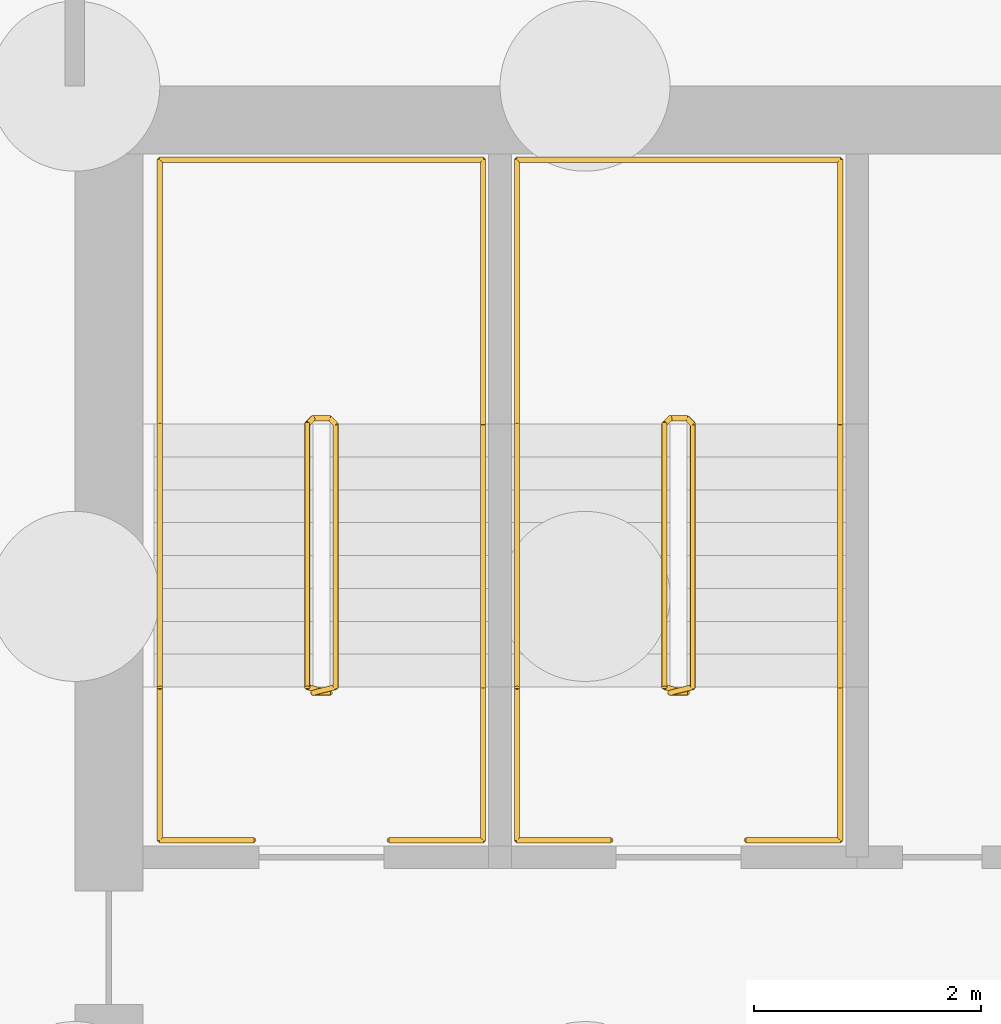
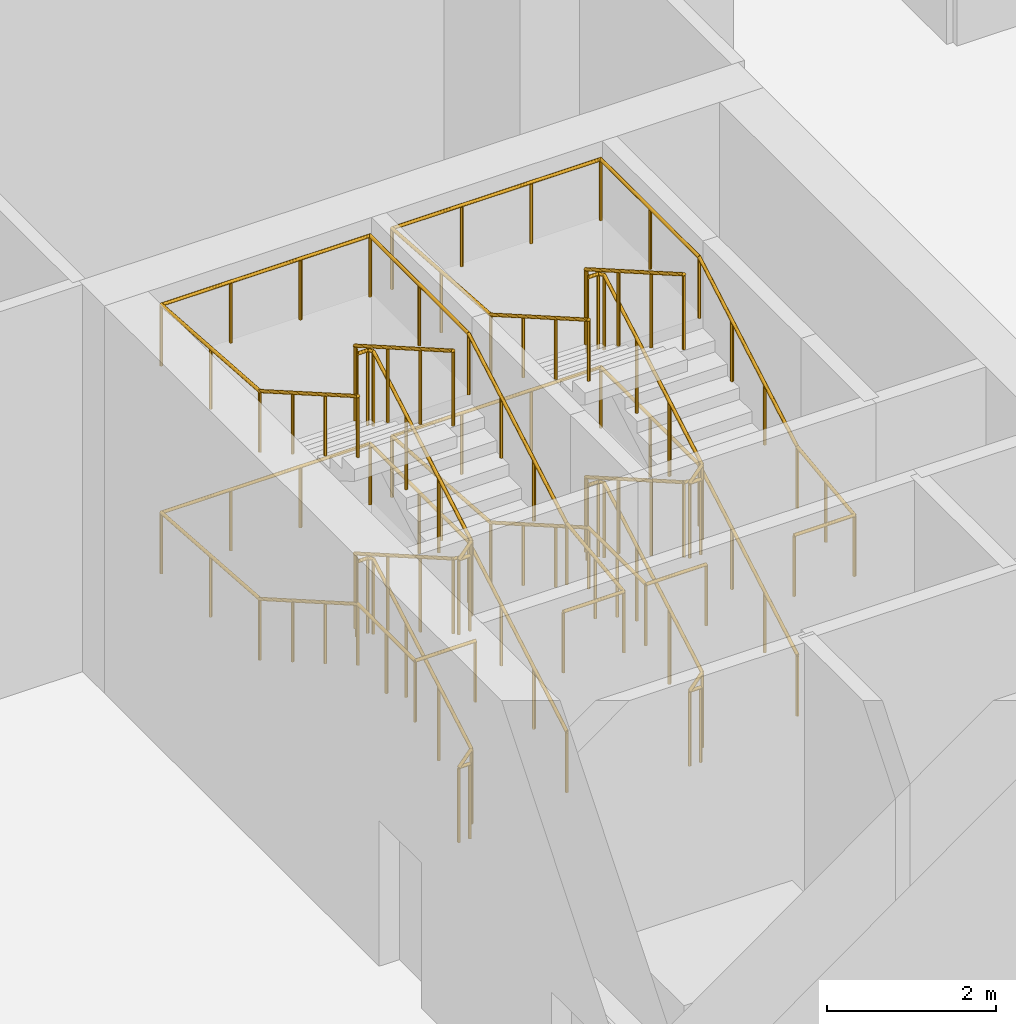
# One storey, part 21 of 26: 6 railings.
"""IFC4 building model written with IfcOpenShell, lengths in metres."""

from ifc_helpers import new_model, si_unit, direction, frame, origin, origin_2d, place, context, subcontext, project, spatial, circle, extrude, material, type_object, element, save


model = new_model("IFC4")

# Units and contexts
model_context = context("Model", 3, precision=1e-05, world=origin(), true_north=direction((0.0, 1.0)))
body_context = subcontext(model_context, "Body", "Model", "MODEL_VIEW")
ifc_project = project(units=[si_unit("LENGTHUNIT", "METRE"), si_unit("AREAUNIT", "SQUARE_METRE"), si_unit("VOLUMEUNIT", "CUBIC_METRE"), si_unit("PLANEANGLEUNIT", "RADIAN"), si_unit("MASSUNIT", "GRAM", prefix="KILO")], contexts=[model_context])

# Site, building, storey
site_placement = place(None, origin())
site = spatial("IfcSite", under=ifc_project, at=site_placement, CompositionType="ELEMENT")
building_placement = place(site_placement, origin())
building = spatial("IfcBuilding", under=site, at=building_placement, Name="Tessera Arch", CompositionType="ELEMENT")
storey_placement = place(building_placement, frame((0.0, 0.0, -6.0)))
storey = spatial("IfcBuildingStorey", under=building, at=storey_placement, Name="B1", CompositionType="ELEMENT", Elevation=-6.0)

# Railings
ifc_material_1 = material(Name="Painted steel balustrade", Category="steel")
railing_type_1 = type_object("IfcRailingType", Name="Stair guard 1100", PredefinedType="GUARDRAIL", material=ifc_material_1)
railing_1_placement = place(storey_placement, frame((38.25, 17.14990234375, 0.0)))
element("IfcRailing", 1, at=railing_1_placement, inside=storey, type_object=railing_type_1, Name="B1 S3a stair guard 1", PredefinedType="GUARDRAIL", context=body_context, shape_type="SweptSolid", body=[
    extrude(circle(Radius=0.02392578125, at=origin_2d()), frame((0.00390625, 0.0, 1.076171875), z_axis=(-1.0, 0.0, 0.0), x_axis=(0.0, -1.0, 0.0)), (0.0, 0.0, 1.0), 0.157958984375),
    extrude(circle(Radius=0.02392578125, at=origin_2d()), frame((-0.15283203125, -0.000732421875, 1.073486328125), z_axis=(0.754182335027, 0.188775798145, 0.628945707965), x_axis=(-0.242814311512, 0.970072785993, 0.0)), (0.0, 0.0, 1.0), 0.273193359375),
    extrude(circle(Radius=0.02392578125, at=origin_2d()), frame((0.050048828125, 0.046630859375, 1.24072265625), z_axis=(0.0, 0.867033425039, 0.498249977285), x_axis=(-1.0, 0.0, 0.0)), (0.0, 0.0, 1.0), 2.683837890625),
    extrude(circle(Radius=0.02392578125, at=origin_2d()), frame((0.052978515625, 2.3671875, 2.576171875), z_axis=(-0.707106781187, 0.707106781187, 0.0), x_axis=(-0.707106781187, -0.707106781187, 0.0)), (0.0, 0.0, 1.0), 0.078857421875),
    extrude(circle(Radius=0.02392578125, at=origin_2d()), frame((0.00390625, 2.420166015625, 2.576171875), z_axis=(-1.0, 0.0, 0.0), x_axis=(0.0, -1.0, 0.0)), (0.0, 0.0, 1.0), 0.157958984375),
    extrude(circle(Radius=0.02392578125, at=origin_2d()), frame((-0.148681640625, 2.42138671875, 2.572265625), z_axis=(-0.27628659633, -0.27628659633, 0.920506074601), x_axis=(0.707106781187, -0.707106781187, 0.0)), (0.0, 0.0, 1.0), 0.189208984375),
    extrude(circle(Radius=0.02392578125, at=origin_2d()), frame((-0.199951171875, 2.37353515625, 2.74072265625), z_axis=(0.0, -0.867033425039, 0.498249977285), x_axis=(1.0, 0.0, 0.0)), (0.0, 0.0, 1.0), 2.683837890625),
    extrude(circle(Radius=0.02392578125, at=origin_2d()), frame((-0.203857421875, 0.051025390625, 4.076171875), z_axis=(0.970072785993, -0.242814311512, 0.0), x_axis=(0.242814311512, 0.970072785993, 0.0)), (0.0, 0.0, 1.0), 0.214111328125),
    extrude(circle(Radius=0.02392578125, at=origin_2d()), frame((0.00390625, 0.0, 4.076171875), z_axis=(-1.0, 0.0, 0.0), x_axis=(0.0, -1.0, 0.0)), (0.0, 0.0, 1.0), 0.157958984375),
    extrude(circle(Radius=0.02392578125, at=origin_2d()), frame((-0.15283203125, -0.000732421875, 4.073486328125), z_axis=(0.754182335027, 0.188775798145, 0.628945707965), x_axis=(-0.242814311512, 0.970072785993, 0.0)), (0.0, 0.0, 1.0), 0.273193359375),
    extrude(circle(Radius=0.02392578125, at=origin_2d()), frame((0.050048828125, 0.046630859375, 4.24072265625), z_axis=(0.0, 0.867033425039, 0.498249977285), x_axis=(-1.0, 0.0, 0.0)), (0.0, 0.0, 1.0), 2.683837890625),
    extrude(circle(Radius=0.02392578125, at=origin_2d()), frame((0.052978515625, 2.3671875, 5.576171875), z_axis=(-0.707106781187, 0.707106781187, 0.0), x_axis=(-0.707106781187, -0.707106781187, 0.0)), (0.0, 0.0, 1.0), 0.078857421875),
    extrude(circle(Radius=0.02392578125, at=origin_2d()), frame((0.00390625, 2.420166015625, 5.576171875), z_axis=(-1.0, 0.0, 0.0), x_axis=(0.0, -1.0, 0.0)), (0.0, 0.0, 1.0), 0.157958984375),
    extrude(circle(Radius=0.02392578125, at=origin_2d()), frame((-0.148681640625, 2.42138671875, 5.572265625), z_axis=(-0.27628659633, -0.27628659633, 0.920506074601), x_axis=(0.707106781187, -0.707106781187, 0.0)), (0.0, 0.0, 1.0), 0.189208984375),
    extrude(circle(Radius=0.02392578125, at=origin_2d()), frame((-0.199951171875, 2.37353515625, 5.74072265625), z_axis=(0.0, -0.867033425039, 0.498249977285), x_axis=(1.0, 0.0, 0.0)), (0.0, 0.0, 1.0), 2.683837890625),
    extrude(circle(Radius=0.02099609375, at=origin_2d()), origin(), (0.0, 0.0, 1.0), 1.06396484375),
    extrude(circle(Radius=0.02099609375, at=origin_2d()), frame((-0.14990234375, 0.0, 0.0)), (0.0, 0.0, 1.0), 1.06396484375),
    extrude(circle(Radius=0.02099609375, at=origin_2d()), frame((0.050048828125, 0.050048828125, 0.166748046875)), (0.0, 0.0, 1.0), 1.06396484375),
    extrude(circle(Radius=0.02099609375, at=origin_2d()), frame((0.050048828125, 0.823486328125, 0.611083984375)), (0.0, 0.0, 1.0), 1.06396484375),
    extrude(circle(Radius=0.02099609375, at=origin_2d()), frame((0.050048828125, 1.5966796875, 1.0556640625)), (0.0, 0.0, 1.0), 1.06396484375),
    extrude(circle(Radius=0.02099609375, at=origin_2d()), frame((0.050048828125, 2.3701171875, 1.5)), (0.0, 0.0, 1.0), 1.06396484375),
    extrude(circle(Radius=0.02099609375, at=origin_2d()), frame((0.0, 2.420166015625, 1.5)), (0.0, 0.0, 1.0), 1.06396484375),
    extrude(circle(Radius=0.02099609375, at=origin_2d()), frame((-0.14990234375, 2.420166015625, 1.5)), (0.0, 0.0, 1.0), 1.06396484375),
    extrude(circle(Radius=0.02099609375, at=origin_2d()), frame((-0.199951171875, 2.3701171875, 1.666748046875)), (0.0, 0.0, 1.0), 1.06396484375),
    extrude(circle(Radius=0.02099609375, at=origin_2d()), frame((-0.199951171875, 1.5966796875, 2.111083984375)), (0.0, 0.0, 1.0), 1.06396484375),
    extrude(circle(Radius=0.02099609375, at=origin_2d()), frame((-0.199951171875, 0.823486328125, 2.5556640625)), (0.0, 0.0, 1.0), 1.06396484375),
    extrude(circle(Radius=0.02099609375, at=origin_2d()), frame((-0.199951171875, 0.050048828125, 3.0)), (0.0, 0.0, 1.0), 1.06396484375),
    extrude(circle(Radius=0.02099609375, at=origin_2d()), frame((0.0, 0.0, 3.0)), (0.0, 0.0, 1.0), 1.06396484375),
    extrude(circle(Radius=0.02099609375, at=origin_2d()), frame((-0.14990234375, 0.0, 3.0)), (0.0, 0.0, 1.0), 1.06396484375),
    extrude(circle(Radius=0.02099609375, at=origin_2d()), frame((0.050048828125, 0.050048828125, 3.166748046875)), (0.0, 0.0, 1.0), 1.06396484375),
    extrude(circle(Radius=0.02099609375, at=origin_2d()), frame((0.050048828125, 0.823486328125, 3.611083984375)), (0.0, 0.0, 1.0), 1.06396484375),
    extrude(circle(Radius=0.02099609375, at=origin_2d()), frame((0.050048828125, 1.5966796875, 4.0556640625)), (0.0, 0.0, 1.0), 1.06396484375),
    extrude(circle(Radius=0.02099609375, at=origin_2d()), frame((0.050048828125, 2.3701171875, 4.5)), (0.0, 0.0, 1.0), 1.06396484375),
    extrude(circle(Radius=0.02099609375, at=origin_2d()), frame((0.0, 2.420166015625, 4.5)), (0.0, 0.0, 1.0), 1.06396484375),
    extrude(circle(Radius=0.02099609375, at=origin_2d()), frame((-0.14990234375, 2.420166015625, 4.5)), (0.0, 0.0, 1.0), 1.06396484375),
    extrude(circle(Radius=0.02099609375, at=origin_2d()), frame((-0.199951171875, 2.3701171875, 4.666748046875)), (0.0, 0.0, 1.0), 1.06396484375),
    extrude(circle(Radius=0.02099609375, at=origin_2d()), frame((-0.199951171875, 1.5966796875, 5.111083984375)), (0.0, 0.0, 1.0), 1.06396484375),
    extrude(circle(Radius=0.02099609375, at=origin_2d()), frame((-0.199951171875, 0.823486328125, 5.5556640625)), (0.0, 0.0, 1.0), 1.06396484375),
    extrude(circle(Radius=0.02099609375, at=origin_2d()), frame((-0.199951171875, 0.050048828125, 6.0)), (0.0, 0.0, 1.0), 1.06396484375),
])
railing_2_placement = place(storey_placement, frame((41.39990234375, 17.14990234375, 0.0)))
element("IfcRailing", 2, at=railing_2_placement, inside=storey, type_object=railing_type_1, Name="B1 S3b stair guard 1", PredefinedType="GUARDRAIL", context=body_context, shape_type="SweptSolid", body=[
    extrude(circle(Radius=0.02392578125, at=origin_2d()), frame((0.00390625, 0.0, 1.076171875), z_axis=(-1.0, 0.0, 0.0), x_axis=(0.0, -1.0, 0.0)), (0.0, 0.0, 1.0), 0.157958984375),
    extrude(circle(Radius=0.02392578125, at=origin_2d()), frame((-0.15283203125, -0.000732421875, 1.073486328125), z_axis=(0.754182335027, 0.188775798145, 0.628945707965), x_axis=(-0.242814311512, 0.970072785993, 0.0)), (0.0, 0.0, 1.0), 0.273193359375),
    extrude(circle(Radius=0.02392578125, at=origin_2d()), frame((0.050048828125, 0.046630859375, 1.24072265625), z_axis=(0.0, 0.867033425039, 0.498249977285), x_axis=(-1.0, 0.0, 0.0)), (0.0, 0.0, 1.0), 2.683837890625),
    extrude(circle(Radius=0.02392578125, at=origin_2d()), frame((0.052978515625, 2.3671875, 2.576171875), z_axis=(-0.707106781187, 0.707106781187, 0.0), x_axis=(-0.707106781187, -0.707106781187, 0.0)), (0.0, 0.0, 1.0), 0.078857421875),
    extrude(circle(Radius=0.02392578125, at=origin_2d()), frame((0.00390625, 2.420166015625, 2.576171875), z_axis=(-1.0, 0.0, 0.0), x_axis=(0.0, -1.0, 0.0)), (0.0, 0.0, 1.0), 0.157958984375),
    extrude(circle(Radius=0.02392578125, at=origin_2d()), frame((-0.148681640625, 2.42138671875, 2.572265625), z_axis=(-0.27628659633, -0.27628659633, 0.920506074601), x_axis=(0.707106781187, -0.707106781187, 0.0)), (0.0, 0.0, 1.0), 0.189208984375),
    extrude(circle(Radius=0.02392578125, at=origin_2d()), frame((-0.199951171875, 2.37353515625, 2.74072265625), z_axis=(0.0, -0.867033425039, 0.498249977285), x_axis=(1.0, 0.0, 0.0)), (0.0, 0.0, 1.0), 2.683837890625),
    extrude(circle(Radius=0.02392578125, at=origin_2d()), frame((-0.203857421875, 0.051025390625, 4.076171875), z_axis=(0.970072785993, -0.242814311512, 0.0), x_axis=(0.242814311512, 0.970072785993, 0.0)), (0.0, 0.0, 1.0), 0.214111328125),
    extrude(circle(Radius=0.02392578125, at=origin_2d()), frame((0.00390625, 0.0, 4.076171875), z_axis=(-1.0, 0.0, 0.0), x_axis=(0.0, -1.0, 0.0)), (0.0, 0.0, 1.0), 0.157958984375),
    extrude(circle(Radius=0.02392578125, at=origin_2d()), frame((-0.15283203125, -0.000732421875, 4.073486328125), z_axis=(0.754182335027, 0.188775798145, 0.628945707965), x_axis=(-0.242814311512, 0.970072785993, 0.0)), (0.0, 0.0, 1.0), 0.273193359375),
    extrude(circle(Radius=0.02392578125, at=origin_2d()), frame((0.050048828125, 0.046630859375, 4.24072265625), z_axis=(0.0, 0.867033425039, 0.498249977285), x_axis=(-1.0, 0.0, 0.0)), (0.0, 0.0, 1.0), 2.683837890625),
    extrude(circle(Radius=0.02392578125, at=origin_2d()), frame((0.052978515625, 2.3671875, 5.576171875), z_axis=(-0.707106781187, 0.707106781187, 0.0), x_axis=(-0.707106781187, -0.707106781187, 0.0)), (0.0, 0.0, 1.0), 0.078857421875),
    extrude(circle(Radius=0.02392578125, at=origin_2d()), frame((0.00390625, 2.420166015625, 5.576171875), z_axis=(-1.0, 0.0, 0.0), x_axis=(0.0, -1.0, 0.0)), (0.0, 0.0, 1.0), 0.157958984375),
    extrude(circle(Radius=0.02392578125, at=origin_2d()), frame((-0.148681640625, 2.42138671875, 5.572265625), z_axis=(-0.27628659633, -0.27628659633, 0.920506074601), x_axis=(0.707106781187, -0.707106781187, 0.0)), (0.0, 0.0, 1.0), 0.189208984375),
    extrude(circle(Radius=0.02392578125, at=origin_2d()), frame((-0.199951171875, 2.37353515625, 5.74072265625), z_axis=(0.0, -0.867033425039, 0.498249977285), x_axis=(1.0, 0.0, 0.0)), (0.0, 0.0, 1.0), 2.683837890625),
    extrude(circle(Radius=0.02099609375, at=origin_2d()), origin(), (0.0, 0.0, 1.0), 1.06396484375),
    extrude(circle(Radius=0.02099609375, at=origin_2d()), frame((-0.14990234375, 0.0, 0.0)), (0.0, 0.0, 1.0), 1.06396484375),
    extrude(circle(Radius=0.02099609375, at=origin_2d()), frame((0.050048828125, 0.050048828125, 0.166748046875)), (0.0, 0.0, 1.0), 1.06396484375),
    extrude(circle(Radius=0.02099609375, at=origin_2d()), frame((0.050048828125, 0.823486328125, 0.611083984375)), (0.0, 0.0, 1.0), 1.06396484375),
    extrude(circle(Radius=0.02099609375, at=origin_2d()), frame((0.050048828125, 1.5966796875, 1.0556640625)), (0.0, 0.0, 1.0), 1.06396484375),
    extrude(circle(Radius=0.02099609375, at=origin_2d()), frame((0.050048828125, 2.3701171875, 1.5)), (0.0, 0.0, 1.0), 1.06396484375),
    extrude(circle(Radius=0.02099609375, at=origin_2d()), frame((0.0, 2.420166015625, 1.5)), (0.0, 0.0, 1.0), 1.06396484375),
    extrude(circle(Radius=0.02099609375, at=origin_2d()), frame((-0.14990234375, 2.420166015625, 1.5)), (0.0, 0.0, 1.0), 1.06396484375),
    extrude(circle(Radius=0.02099609375, at=origin_2d()), frame((-0.199951171875, 2.3701171875, 1.666748046875)), (0.0, 0.0, 1.0), 1.06396484375),
    extrude(circle(Radius=0.02099609375, at=origin_2d()), frame((-0.199951171875, 1.5966796875, 2.111083984375)), (0.0, 0.0, 1.0), 1.06396484375),
    extrude(circle(Radius=0.02099609375, at=origin_2d()), frame((-0.199951171875, 0.823486328125, 2.5556640625)), (0.0, 0.0, 1.0), 1.06396484375),
    extrude(circle(Radius=0.02099609375, at=origin_2d()), frame((-0.199951171875, 0.050048828125, 3.0)), (0.0, 0.0, 1.0), 1.06396484375),
    extrude(circle(Radius=0.02099609375, at=origin_2d()), frame((0.0, 0.0, 3.0)), (0.0, 0.0, 1.0), 1.06396484375),
    extrude(circle(Radius=0.02099609375, at=origin_2d()), frame((-0.14990234375, 0.0, 3.0)), (0.0, 0.0, 1.0), 1.06396484375),
    extrude(circle(Radius=0.02099609375, at=origin_2d()), frame((0.050048828125, 0.050048828125, 3.166748046875)), (0.0, 0.0, 1.0), 1.06396484375),
    extrude(circle(Radius=0.02099609375, at=origin_2d()), frame((0.050048828125, 0.823486328125, 3.611083984375)), (0.0, 0.0, 1.0), 1.06396484375),
    extrude(circle(Radius=0.02099609375, at=origin_2d()), frame((0.050048828125, 1.5966796875, 4.0556640625)), (0.0, 0.0, 1.0), 1.06396484375),
    extrude(circle(Radius=0.02099609375, at=origin_2d()), frame((0.050048828125, 2.3701171875, 4.5)), (0.0, 0.0, 1.0), 1.06396484375),
    extrude(circle(Radius=0.02099609375, at=origin_2d()), frame((0.0, 2.420166015625, 4.5)), (0.0, 0.0, 1.0), 1.06396484375),
    extrude(circle(Radius=0.02099609375, at=origin_2d()), frame((-0.14990234375, 2.420166015625, 4.5)), (0.0, 0.0, 1.0), 1.06396484375),
    extrude(circle(Radius=0.02099609375, at=origin_2d()), frame((-0.199951171875, 2.3701171875, 4.666748046875)), (0.0, 0.0, 1.0), 1.06396484375),
    extrude(circle(Radius=0.02099609375, at=origin_2d()), frame((-0.199951171875, 1.5966796875, 5.111083984375)), (0.0, 0.0, 1.0), 1.06396484375),
    extrude(circle(Radius=0.02099609375, at=origin_2d()), frame((-0.199951171875, 0.823486328125, 5.5556640625)), (0.0, 0.0, 1.0), 1.06396484375),
    extrude(circle(Radius=0.02099609375, at=origin_2d()), frame((-0.199951171875, 0.050048828125, 6.0)), (0.0, 0.0, 1.0), 1.06396484375),
])
ifc_material_2 = material(Name="Painted steel handrail", Category="steel")
railing_type_2 = type_object("IfcRailingType", Name="Stair handrail 900", PredefinedType="HANDRAIL", material=ifc_material_2)
railing_3_placement = place(storey_placement, frame((39.60009765625, 17.199951171875, 0.166748046875)))
element("IfcRailing", 3, at=railing_3_placement, inside=storey, type_object=railing_type_2, Name="B1 S3a stair handrail", PredefinedType="HANDRAIL", context=body_context, shape_type="SweptSolid", body=[
    extrude(circle(Radius=0.02392578125, at=origin_2d()), frame((0.0, -0.00341796875, 0.873779296875), z_axis=(0.0, 0.867033425039, 0.498249977285), x_axis=(-1.0, 0.0, 0.0)), (0.0, 0.0, 1.0), 2.683837890625),
    extrude(circle(Radius=0.02392578125, at=origin_2d()), frame((0.0, 2.316162109375, 2.208984375), z_axis=(0.0, 1.0, 0.0), x_axis=(-1.0, 0.0, 0.0)), (0.0, 0.0, 1.0), 2.338134765625),
    extrude(circle(Radius=0.02392578125, at=origin_2d()), frame((0.00390625, 4.650146484375, 2.208984375), z_axis=(-1.0, 0.0, 0.0), x_axis=(0.0, -1.0, 0.0)), (0.0, 0.0, 1.0), 2.858154296875),
    extrude(circle(Radius=0.02392578125, at=origin_2d()), frame((-2.85009765625, 4.654052734375, 2.208740234375), z_axis=(0.0, -0.99744914168, 0.071380738031), x_axis=(1.0, 0.0, 0.0)), (0.0, 0.0, 1.0), 2.343994140625),
    extrude(circle(Radius=0.02392578125, at=origin_2d()), frame((-2.85009765625, 2.323486328125, 2.373779296875), z_axis=(0.0, -0.867033425039, 0.498249977285), x_axis=(1.0, 0.0, 0.0)), (0.0, 0.0, 1.0), 2.683837890625),
    extrude(circle(Radius=0.02392578125, at=origin_2d()), frame((-2.85009765625, 0.00390625, 3.708984375), z_axis=(0.0, -1.0, 0.0), x_axis=(1.0, 0.0, 0.0)), (0.0, 0.0, 1.0), 1.35791015625),
    extrude(circle(Radius=0.02392578125, at=origin_2d()), frame((-2.85400390625, -1.349853515625, 3.708984375), z_axis=(1.0, 0.0, 0.0), x_axis=(0.0, 1.0, 0.0)), (0.0, 0.0, 1.0), 0.8330078125),
    extrude(circle(Radius=0.02099609375, at=origin_2d()), origin(), (0.0, 0.0, 1.0), 0.86376953125),
    extrude(circle(Radius=0.02099609375, at=origin_2d()), frame((0.0, 0.7734375, 0.4443359375)), (0.0, 0.0, 1.0), 0.86376953125),
    extrude(circle(Radius=0.02099609375, at=origin_2d()), frame((0.0, 1.546630859375, 0.888916015625)), (0.0, 0.0, 1.0), 0.86376953125),
    extrude(circle(Radius=0.02099609375, at=origin_2d()), frame((0.0, 2.320068359375, 1.333251953125)), (0.0, 0.0, 1.0), 0.86376953125),
    extrude(circle(Radius=0.02099609375, at=origin_2d()), frame((0.0, 3.485107421875, 1.333251953125)), (0.0, 0.0, 1.0), 0.86376953125),
    extrude(circle(Radius=0.02099609375, at=origin_2d()), frame((0.0, 4.650146484375, 1.333251953125)), (0.0, 0.0, 1.0), 0.86376953125),
    extrude(circle(Radius=0.02099609375, at=origin_2d()), frame((-0.949951171875, 4.650146484375, 1.333251953125)), (0.0, 0.0, 1.0), 0.86376953125),
    extrude(circle(Radius=0.02099609375, at=origin_2d()), frame((-1.900146484375, 4.650146484375, 1.333251953125)), (0.0, 0.0, 1.0), 0.86376953125),
    extrude(circle(Radius=0.02099609375, at=origin_2d()), frame((-2.85009765625, 4.650146484375, 1.333251953125)), (0.0, 0.0, 1.0), 0.86376953125),
    extrude(circle(Radius=0.02099609375, at=origin_2d()), frame((-2.85009765625, 3.485107421875, 1.41650390625)), (0.0, 0.0, 1.0), 0.86376953125),
    extrude(circle(Radius=0.02099609375, at=origin_2d()), frame((-2.85009765625, 2.320068359375, 1.5)), (0.0, 0.0, 1.0), 0.86376953125),
    extrude(circle(Radius=0.02099609375, at=origin_2d()), frame((-2.85009765625, 1.546630859375, 1.9443359375)), (0.0, 0.0, 1.0), 0.86376953125),
    extrude(circle(Radius=0.02099609375, at=origin_2d()), frame((-2.85009765625, 0.7734375, 2.388916015625)), (0.0, 0.0, 1.0), 0.86376953125),
    extrude(circle(Radius=0.02099609375, at=origin_2d()), frame((-2.85009765625, 0.0, 2.833251953125)), (0.0, 0.0, 1.0), 0.86376953125),
    extrude(circle(Radius=0.02099609375, at=origin_2d()), frame((-2.85009765625, -0.6748046875, 2.833251953125)), (0.0, 0.0, 1.0), 0.86376953125),
    extrude(circle(Radius=0.02099609375, at=origin_2d()), frame((-2.85009765625, -1.349853515625, 2.833251953125)), (0.0, 0.0, 1.0), 0.86376953125),
    extrude(circle(Radius=0.02099609375, at=origin_2d()), frame((-2.025146484375, -1.349853515625, 2.833251953125)), (0.0, 0.0, 1.0), 0.86376953125),
])
railing_4_placement = place(storey_placement, frame((38.77490234375, 15.85009765625, 3.0)))
element("IfcRailing", 4, at=railing_4_placement, inside=storey, type_object=railing_type_2, Name="B1 S3a stair handrail 2", PredefinedType="HANDRAIL", context=body_context, shape_type="SweptSolid", body=[
    extrude(circle(Radius=0.02392578125, at=origin_2d()), frame((-0.00390625, 0.0, 0.8759765625), z_axis=(1.0, 0.0, 0.0), x_axis=(0.0, 1.0, 0.0)), (0.0, 0.0, 1.0), 0.833251953125),
    extrude(circle(Radius=0.02392578125, at=origin_2d()), frame((0.8251953125, -0.00390625, 0.875244140625), z_axis=(0.0, 0.992456337791, 0.122598603493), x_axis=(-1.0, 0.0, 0.0)), (0.0, 0.0, 1.0), 1.3681640625),
    extrude(circle(Radius=0.02392578125, at=origin_2d()), frame((0.8251953125, 1.346435546875, 1.04052734375), z_axis=(0.0, 0.867033425039, 0.498249977285), x_axis=(-1.0, 0.0, 0.0)), (0.0, 0.0, 1.0), 2.683837890625),
    extrude(circle(Radius=0.02392578125, at=origin_2d()), frame((0.8251953125, 3.666015625, 2.3759765625), z_axis=(0.0, 1.0, 0.0), x_axis=(-1.0, 0.0, 0.0)), (0.0, 0.0, 1.0), 2.338134765625),
    extrude(circle(Radius=0.02392578125, at=origin_2d()), frame((0.8291015625, 6.0, 2.3759765625), z_axis=(-1.0, 0.0, 0.0), x_axis=(0.0, -1.0, 0.0)), (0.0, 0.0, 1.0), 2.858154296875),
    extrude(circle(Radius=0.02392578125, at=origin_2d()), frame((-2.02490234375, 6.00390625, 2.37548828125), z_axis=(0.0, -0.99744914168, 0.071380738031), x_axis=(1.0, 0.0, 0.0)), (0.0, 0.0, 1.0), 2.343994140625),
    extrude(circle(Radius=0.02392578125, at=origin_2d()), frame((-2.02490234375, 3.67333984375, 2.54052734375), z_axis=(0.0, -0.867033425039, 0.498249977285), x_axis=(1.0, 0.0, 0.0)), (0.0, 0.0, 1.0), 2.683837890625),
    extrude(circle(Radius=0.02099609375, at=origin_2d()), origin(), (0.0, 0.0, 1.0), 0.86376953125),
    extrude(circle(Radius=0.02099609375, at=origin_2d()), frame((0.8251953125, 0.0, 0.0)), (0.0, 0.0, 1.0), 0.86376953125),
    extrude(circle(Radius=0.02099609375, at=origin_2d()), frame((0.8251953125, 0.6748046875, 0.08349609375)), (0.0, 0.0, 1.0), 0.86376953125),
    extrude(circle(Radius=0.02099609375, at=origin_2d()), frame((0.8251953125, 1.349853515625, 0.166748046875)), (0.0, 0.0, 1.0), 0.86376953125),
    extrude(circle(Radius=0.02099609375, at=origin_2d()), frame((0.8251953125, 2.123291015625, 0.611083984375)), (0.0, 0.0, 1.0), 0.86376953125),
    extrude(circle(Radius=0.02099609375, at=origin_2d()), frame((0.8251953125, 2.896484375, 1.0556640625)), (0.0, 0.0, 1.0), 0.86376953125),
    extrude(circle(Radius=0.02099609375, at=origin_2d()), frame((0.8251953125, 3.669921875, 1.5)), (0.0, 0.0, 1.0), 0.86376953125),
    extrude(circle(Radius=0.02099609375, at=origin_2d()), frame((0.8251953125, 4.8349609375, 1.5)), (0.0, 0.0, 1.0), 0.86376953125),
    extrude(circle(Radius=0.02099609375, at=origin_2d()), frame((0.8251953125, 6.0, 1.5)), (0.0, 0.0, 1.0), 0.86376953125),
    extrude(circle(Radius=0.02099609375, at=origin_2d()), frame((-0.124755859375, 6.0, 1.5)), (0.0, 0.0, 1.0), 0.86376953125),
    extrude(circle(Radius=0.02099609375, at=origin_2d()), frame((-1.074951171875, 6.0, 1.5)), (0.0, 0.0, 1.0), 0.86376953125),
    extrude(circle(Radius=0.02099609375, at=origin_2d()), frame((-2.02490234375, 6.0, 1.5)), (0.0, 0.0, 1.0), 0.86376953125),
    extrude(circle(Radius=0.02099609375, at=origin_2d()), frame((-2.02490234375, 4.8349609375, 1.58349609375)), (0.0, 0.0, 1.0), 0.86376953125),
    extrude(circle(Radius=0.02099609375, at=origin_2d()), frame((-2.02490234375, 3.669921875, 1.666748046875)), (0.0, 0.0, 1.0), 0.86376953125),
    extrude(circle(Radius=0.02099609375, at=origin_2d()), frame((-2.02490234375, 2.896484375, 2.111083984375)), (0.0, 0.0, 1.0), 0.86376953125),
    extrude(circle(Radius=0.02099609375, at=origin_2d()), frame((-2.02490234375, 2.123291015625, 2.5556640625)), (0.0, 0.0, 1.0), 0.86376953125),
    extrude(circle(Radius=0.02099609375, at=origin_2d()), frame((-2.02490234375, 1.349853515625, 3.0)), (0.0, 0.0, 1.0), 0.86376953125),
])
railing_5_placement = place(storey_placement, frame((42.75, 17.199951171875, 0.166748046875)))
element("IfcRailing", 5, at=railing_5_placement, inside=storey, type_object=railing_type_2, Name="B1 S3b stair handrail", PredefinedType="HANDRAIL", context=body_context, shape_type="SweptSolid", body=[
    extrude(circle(Radius=0.02392578125, at=origin_2d()), frame((0.0, -0.00341796875, 0.873779296875), z_axis=(0.0, 0.867033425039, 0.498249977285), x_axis=(-1.0, 0.0, 0.0)), (0.0, 0.0, 1.0), 2.683837890625),
    extrude(circle(Radius=0.02392578125, at=origin_2d()), frame((0.0, 2.316162109375, 2.208984375), z_axis=(0.0, 1.0, 0.0), x_axis=(-1.0, 0.0, 0.0)), (0.0, 0.0, 1.0), 2.338134765625),
    extrude(circle(Radius=0.02392578125, at=origin_2d()), frame((0.00390625, 4.650146484375, 2.208984375), z_axis=(-1.0, 0.0, 0.0), x_axis=(0.0, -1.0, 0.0)), (0.0, 0.0, 1.0), 2.858154296875),
    extrude(circle(Radius=0.02392578125, at=origin_2d()), frame((-2.85009765625, 4.654052734375, 2.208740234375), z_axis=(0.0, -0.99744914168, 0.071380738031), x_axis=(1.0, 0.0, 0.0)), (0.0, 0.0, 1.0), 2.343994140625),
    extrude(circle(Radius=0.02392578125, at=origin_2d()), frame((-2.85009765625, 2.323486328125, 2.373779296875), z_axis=(0.0, -0.867033425039, 0.498249977285), x_axis=(1.0, 0.0, 0.0)), (0.0, 0.0, 1.0), 2.683837890625),
    extrude(circle(Radius=0.02392578125, at=origin_2d()), frame((-2.85009765625, 0.00390625, 3.708984375), z_axis=(0.0, -1.0, 0.0), x_axis=(1.0, 0.0, 0.0)), (0.0, 0.0, 1.0), 1.35791015625),
    extrude(circle(Radius=0.02392578125, at=origin_2d()), frame((-2.85400390625, -1.349853515625, 3.708984375), z_axis=(1.0, 0.0, 0.0), x_axis=(0.0, 1.0, 0.0)), (0.0, 0.0, 1.0), 0.833251953125),
    extrude(circle(Radius=0.02099609375, at=origin_2d()), origin(), (0.0, 0.0, 1.0), 0.86376953125),
    extrude(circle(Radius=0.02099609375, at=origin_2d()), frame((0.0, 0.7734375, 0.4443359375)), (0.0, 0.0, 1.0), 0.86376953125),
    extrude(circle(Radius=0.02099609375, at=origin_2d()), frame((0.0, 1.546630859375, 0.888916015625)), (0.0, 0.0, 1.0), 0.86376953125),
    extrude(circle(Radius=0.02099609375, at=origin_2d()), frame((0.0, 2.320068359375, 1.333251953125)), (0.0, 0.0, 1.0), 0.86376953125),
    extrude(circle(Radius=0.02099609375, at=origin_2d()), frame((0.0, 3.485107421875, 1.333251953125)), (0.0, 0.0, 1.0), 0.86376953125),
    extrude(circle(Radius=0.02099609375, at=origin_2d()), frame((0.0, 4.650146484375, 1.333251953125)), (0.0, 0.0, 1.0), 0.86376953125),
    extrude(circle(Radius=0.02099609375, at=origin_2d()), frame((-0.949951171875, 4.650146484375, 1.333251953125)), (0.0, 0.0, 1.0), 0.86376953125),
    extrude(circle(Radius=0.02099609375, at=origin_2d()), frame((-1.900146484375, 4.650146484375, 1.333251953125)), (0.0, 0.0, 1.0), 0.86376953125),
    extrude(circle(Radius=0.02099609375, at=origin_2d()), frame((-2.85009765625, 4.650146484375, 1.333251953125)), (0.0, 0.0, 1.0), 0.86376953125),
    extrude(circle(Radius=0.02099609375, at=origin_2d()), frame((-2.85009765625, 3.485107421875, 1.41650390625)), (0.0, 0.0, 1.0), 0.86376953125),
    extrude(circle(Radius=0.02099609375, at=origin_2d()), frame((-2.85009765625, 2.320068359375, 1.5)), (0.0, 0.0, 1.0), 0.86376953125),
    extrude(circle(Radius=0.02099609375, at=origin_2d()), frame((-2.85009765625, 1.546630859375, 1.9443359375)), (0.0, 0.0, 1.0), 0.86376953125),
    extrude(circle(Radius=0.02099609375, at=origin_2d()), frame((-2.85009765625, 0.7734375, 2.388916015625)), (0.0, 0.0, 1.0), 0.86376953125),
    extrude(circle(Radius=0.02099609375, at=origin_2d()), frame((-2.85009765625, 0.0, 2.833251953125)), (0.0, 0.0, 1.0), 0.86376953125),
    extrude(circle(Radius=0.02099609375, at=origin_2d()), frame((-2.85009765625, -0.6748046875, 2.833251953125)), (0.0, 0.0, 1.0), 0.86376953125),
    extrude(circle(Radius=0.02099609375, at=origin_2d()), frame((-2.85009765625, -1.349853515625, 2.833251953125)), (0.0, 0.0, 1.0), 0.86376953125),
    extrude(circle(Radius=0.02099609375, at=origin_2d()), frame((-2.02490234375, -1.349853515625, 2.833251953125)), (0.0, 0.0, 1.0), 0.86376953125),
])
railing_6_placement = place(storey_placement, frame((41.925048828125, 15.85009765625, 3.0)))
element("IfcRailing", 6, at=railing_6_placement, inside=storey, type_object=railing_type_2, Name="B1 S3b stair handrail 2", PredefinedType="HANDRAIL", context=body_context, shape_type="SweptSolid", body=[
    extrude(circle(Radius=0.02392578125, at=origin_2d()), frame((-0.00390625, 0.0, 0.8759765625), z_axis=(1.0, 0.0, 0.0), x_axis=(0.0, 1.0, 0.0)), (0.0, 0.0, 1.0), 0.8330078125),
    extrude(circle(Radius=0.02392578125, at=origin_2d()), frame((0.824951171875, -0.00390625, 0.875244140625), z_axis=(0.0, 0.992456337791, 0.122598603493), x_axis=(-1.0, 0.0, 0.0)), (0.0, 0.0, 1.0), 1.3681640625),
    extrude(circle(Radius=0.02392578125, at=origin_2d()), frame((0.824951171875, 1.346435546875, 1.04052734375), z_axis=(0.0, 0.867033425039, 0.498249977285), x_axis=(-1.0, 0.0, 0.0)), (0.0, 0.0, 1.0), 2.683837890625),
    extrude(circle(Radius=0.02392578125, at=origin_2d()), frame((0.824951171875, 3.666015625, 2.3759765625), z_axis=(0.0, 1.0, 0.0), x_axis=(-1.0, 0.0, 0.0)), (0.0, 0.0, 1.0), 2.338134765625),
    extrude(circle(Radius=0.02392578125, at=origin_2d()), frame((0.828857421875, 6.0, 2.3759765625), z_axis=(-1.0, 0.0, 0.0), x_axis=(0.0, -1.0, 0.0)), (0.0, 0.0, 1.0), 2.858154296875),
    extrude(circle(Radius=0.02392578125, at=origin_2d()), frame((-2.025146484375, 6.00390625, 2.37548828125), z_axis=(0.0, -0.99744914168, 0.071380738031), x_axis=(1.0, 0.0, 0.0)), (0.0, 0.0, 1.0), 2.343994140625),
    extrude(circle(Radius=0.02392578125, at=origin_2d()), frame((-2.025146484375, 3.67333984375, 2.54052734375), z_axis=(0.0, -0.867033425039, 0.498249977285), x_axis=(1.0, 0.0, 0.0)), (0.0, 0.0, 1.0), 2.683837890625),
    extrude(circle(Radius=0.02099609375, at=origin_2d()), origin(), (0.0, 0.0, 1.0), 0.86376953125),
    extrude(circle(Radius=0.02099609375, at=origin_2d()), frame((0.824951171875, 0.0, 0.0)), (0.0, 0.0, 1.0), 0.86376953125),
    extrude(circle(Radius=0.02099609375, at=origin_2d()), frame((0.824951171875, 0.6748046875, 0.08349609375)), (0.0, 0.0, 1.0), 0.86376953125),
    extrude(circle(Radius=0.02099609375, at=origin_2d()), frame((0.824951171875, 1.349853515625, 0.166748046875)), (0.0, 0.0, 1.0), 0.86376953125),
    extrude(circle(Radius=0.02099609375, at=origin_2d()), frame((0.824951171875, 2.123291015625, 0.611083984375)), (0.0, 0.0, 1.0), 0.86376953125),
    extrude(circle(Radius=0.02099609375, at=origin_2d()), frame((0.824951171875, 2.896484375, 1.0556640625)), (0.0, 0.0, 1.0), 0.86376953125),
    extrude(circle(Radius=0.02099609375, at=origin_2d()), frame((0.824951171875, 3.669921875, 1.5)), (0.0, 0.0, 1.0), 0.86376953125),
    extrude(circle(Radius=0.02099609375, at=origin_2d()), frame((0.824951171875, 4.8349609375, 1.5)), (0.0, 0.0, 1.0), 0.86376953125),
    extrude(circle(Radius=0.02099609375, at=origin_2d()), frame((0.824951171875, 6.0, 1.5)), (0.0, 0.0, 1.0), 0.86376953125),
    extrude(circle(Radius=0.02099609375, at=origin_2d()), frame((-0.125, 6.0, 1.5)), (0.0, 0.0, 1.0), 0.86376953125),
    extrude(circle(Radius=0.02099609375, at=origin_2d()), frame((-1.0751953125, 6.0, 1.5)), (0.0, 0.0, 1.0), 0.86376953125),
    extrude(circle(Radius=0.02099609375, at=origin_2d()), frame((-2.025146484375, 6.0, 1.5)), (0.0, 0.0, 1.0), 0.86376953125),
    extrude(circle(Radius=0.02099609375, at=origin_2d()), frame((-2.025146484375, 4.8349609375, 1.58349609375)), (0.0, 0.0, 1.0), 0.86376953125),
    extrude(circle(Radius=0.02099609375, at=origin_2d()), frame((-2.025146484375, 3.669921875, 1.666748046875)), (0.0, 0.0, 1.0), 0.86376953125),
    extrude(circle(Radius=0.02099609375, at=origin_2d()), frame((-2.025146484375, 2.896484375, 2.111083984375)), (0.0, 0.0, 1.0), 0.86376953125),
    extrude(circle(Radius=0.02099609375, at=origin_2d()), frame((-2.025146484375, 2.123291015625, 2.5556640625)), (0.0, 0.0, 1.0), 0.86376953125),
    extrude(circle(Radius=0.02099609375, at=origin_2d()), frame((-2.025146484375, 1.349853515625, 3.0)), (0.0, 0.0, 1.0), 0.86376953125),
])

save(model, "model.ifc")
